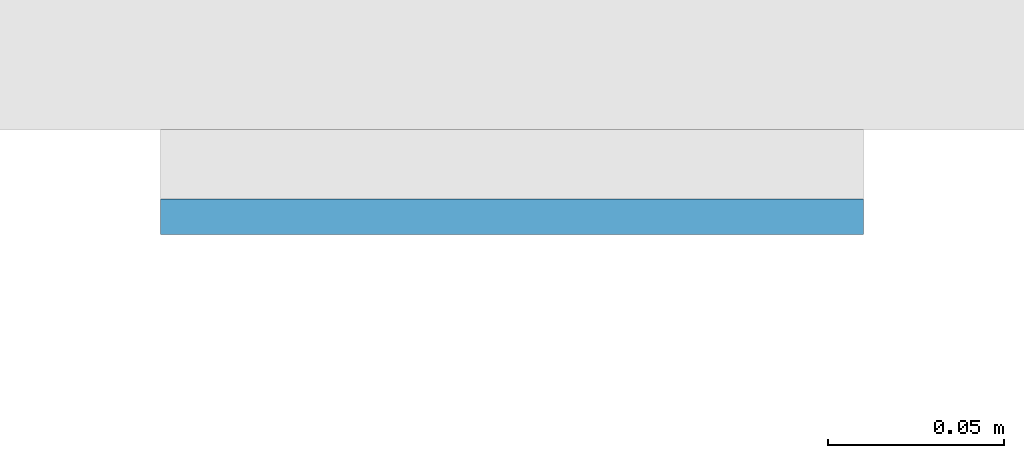
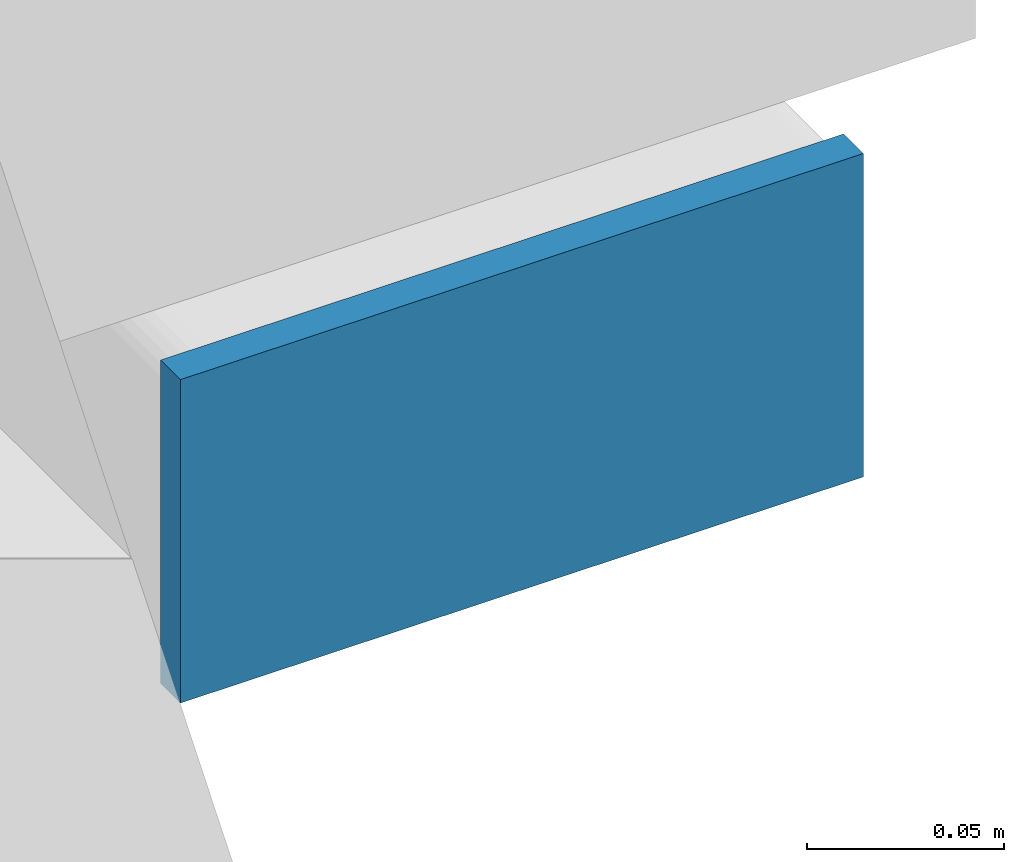
# One storey, part 5 of 12: 1 plate.
"""IFC4 building model written with IfcOpenShell, lengths in metres."""

from ifc_helpers import new_model, si_unit, direction, frame, origin, origin_2d, place, context, subcontext, project, spatial, rectangle, extrude, material, layer, layer_set, type_object, element, save


model = new_model("IFC4")

# Units and contexts
model_context = context("Model", 3, precision=1e-05, world=origin(), true_north=direction((0.0, 1.0)))
body_context = subcontext(model_context, "Body", "Model", "MODEL_VIEW")
ifc_project = project(units=[si_unit("LENGTHUNIT", "METRE"), si_unit("AREAUNIT", "SQUARE_METRE"), si_unit("VOLUMEUNIT", "CUBIC_METRE"), si_unit("PLANEANGLEUNIT", "RADIAN"), si_unit("MASSUNIT", "GRAM", prefix="KILO")], contexts=[model_context])

# Site, building, storey
site_placement = place(None, origin())
site = spatial("IfcSite", under=ifc_project, at=site_placement, CompositionType="ELEMENT")
building_placement = place(site_placement, origin())
building = spatial("IfcBuilding", under=site, at=building_placement, Name="Cleftline Residences", CompositionType="ELEMENT")
storey_placement = place(building_placement, frame((0.0, 0.0, 252.0)))
storey = spatial("IfcBuildingStorey", under=building, at=storey_placement, Name="L66", CompositionType="ELEMENT", Elevation=252.0)

# Plate
ifc_material = material(Name="Steel S355, hot-dip galvanised", Category="steel")
ifc_layer = layer(ifc_material, 0.010009765625)
ifc_layer_set = layer_set([ifc_layer], Name="BAGUETTE CARRIER END PLATE 200X100X10")
plate_type = type_object("IfcPlateType", Name="BAGUETTE CARRIER END PLATE 200X100X10", PredefinedType="USERDEFINED", material=ifc_layer_set)
plate_placement = place(storey_placement, frame((66.85009765625, 3.695068359375, -0.10009765625), z_axis=(0.0, 0.0, 1.0), x_axis=(1.0, 0.0, 0.0)))
element("IfcPlate", 1, at=plate_placement, inside=storey, type_object=plate_type, Name="Baguette carrier end plate", ObjectType="BAGUETTE CARRIER END PLATE", PredefinedType="USERDEFINED", context=body_context, shape_type="SweptSolid", body=[
    extrude(rectangle(XDim=0.199951171875, YDim=0.010009765625, at=origin_2d()), origin(), (0.0, 0.0, 1.0), 0.10009765625),
])

save(model, "model.ifc")
